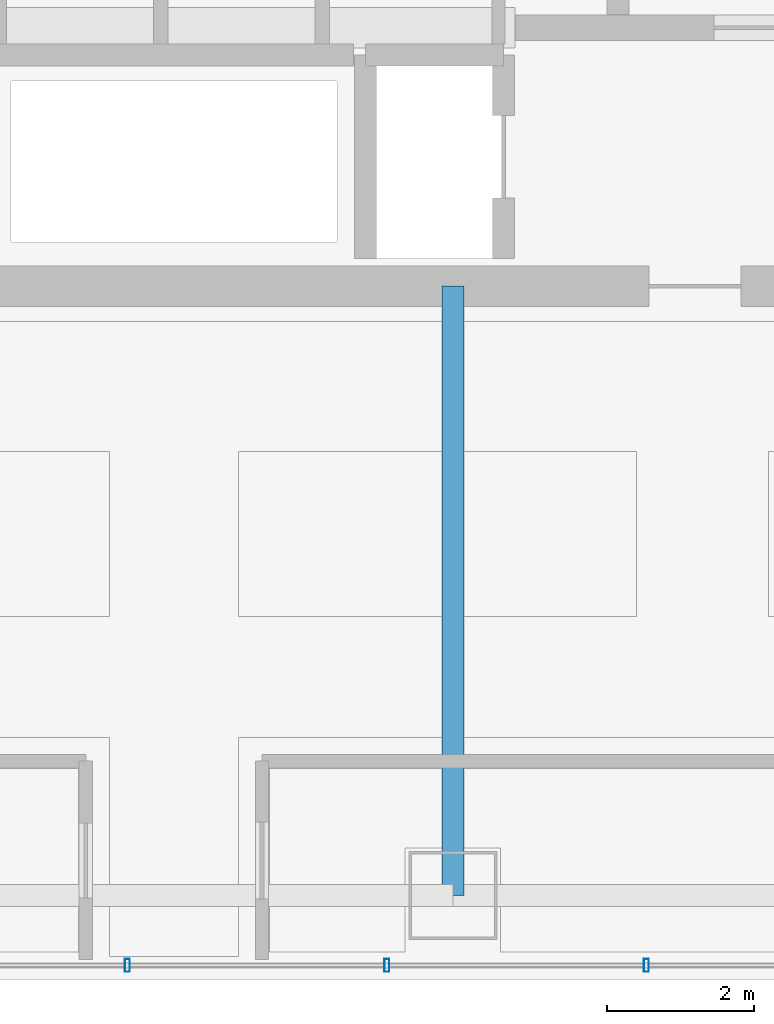
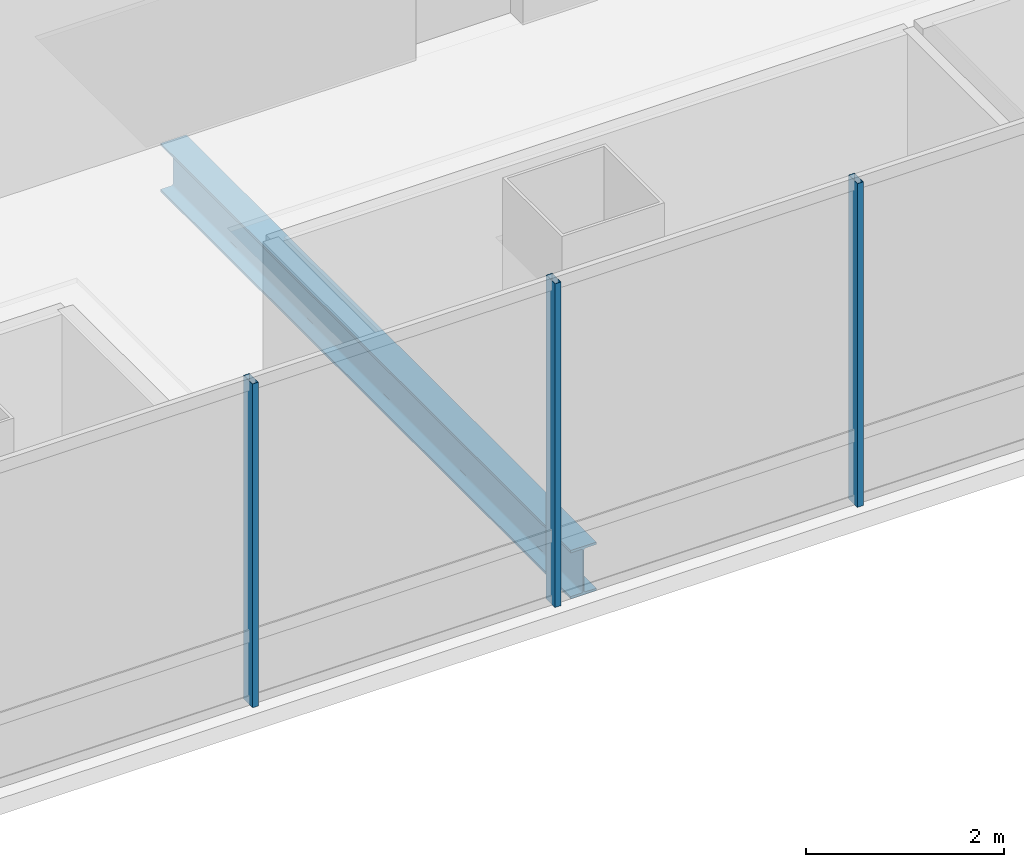
# One storey, part 9 of 42: 3 members, 1 beam, 1 element without a shape of its own.
"""IFC4 building model written with IfcOpenShell, lengths in metres."""

from ifc_helpers import new_model, si_unit, direction, frame, origin, origin_2d, place, context, subcontext, project, spatial, hollow_rectangle, i_section, extrude, material, material_profile, profile_set, type_object, element, aggregate, save


model = new_model("IFC4")

# Units and contexts
model_context = context("Model", 3, precision=1e-05, world=origin(), true_north=direction((0.0, 1.0)))
body_context = subcontext(model_context, "Body", "Model", "MODEL_VIEW")
ifc_project = project(units=[si_unit("LENGTHUNIT", "METRE"), si_unit("AREAUNIT", "SQUARE_METRE"), si_unit("VOLUMEUNIT", "CUBIC_METRE"), si_unit("PLANEANGLEUNIT", "RADIAN"), si_unit("MASSUNIT", "GRAM", prefix="KILO")], contexts=[model_context])

# Site, building, storey
site_placement = place(None, origin())
site = spatial("IfcSite", under=ifc_project, at=site_placement, CompositionType="ELEMENT")
building_placement = place(site_placement, origin())
building = spatial("IfcBuilding", under=site, at=building_placement, Name="Punatoya Terracotta Tower", CompositionType="ELEMENT")
storey_placement = place(building_placement, frame((0.0, 0.0, 296.39990234375)))
storey = spatial("IfcBuildingStorey", under=building, at=storey_placement, Name="L70", CompositionType="ELEMENT", Elevation=296.39990234375)

# Beam
ifc_material_1 = material(Name="Steel S355", Category="steel")
ifc_material_profile_1 = material_profile(ifc_material_1, i_section(OverallWidth=0.300048828125, OverallDepth=0.60009765625, WebThickness=0.015380859375, FlangeThickness=0.030029296875, FilletRadius=0.01806640625, at=origin_2d()))
ifc_profile_set_1 = profile_set([ifc_material_profile_1], Name="Steel S355")
beam_type = type_object("IfcBeamType", Name="BM-PRI-600", PredefinedType="BEAM", material=ifc_profile_set_1)
beam_placement = place(storey_placement, frame((3.800048828125, -17.5, -0.5), z_axis=(0.0, 1.0, 0.0), x_axis=(-1.0, 0.0, 0.0)))
element("IfcBeam", 1, at=beam_placement, inside=storey, type_object=beam_type, Name="BM-L70-PR-S3", PredefinedType="BEAM", context=body_context, shape_type="SweptSolid", body=[
    extrude(i_section(OverallWidth=0.300048828125, OverallDepth=0.60009765625, WebThickness=0.015380859375, FlangeThickness=0.030029296875, FilletRadius=0.01806640625, at=origin_2d()), origin(), (0.0, 0.0, 1.0), 8.300048828125),
])

# Curtain wall, members
ifc_material_2 = material(Name="Aluminium 6063-T6 + Double Low-E Glass", Category="aluminium")
curtain_wall_type = type_object("IfcCurtainWallType", Name="CW-M3", PredefinedType="NOTDEFINED", material=ifc_material_2)
curtain_wall_placement = place(storey_placement, origin())
curtain_wall = element("IfcCurtainWall", 2, at=curtain_wall_placement, inside=storey, type_object=curtain_wall_type, Name="L70 Curtain Wall CW-L70-S01-1", PredefinedType="NOTDEFINED")
ifc_material_3 = material(Name="Aluminium 6063-T6", Category="aluminium")
ifc_material_profile_2 = material_profile(ifc_material_3, hollow_rectangle(XDim=0.070068359375, YDim=0.179931640625, WallThickness=0.00390625, at=origin_2d()))
ifc_profile_set_2 = profile_set([ifc_material_profile_2], Name="Aluminium 6063-T6")
member_type = type_object("IfcMemberType", Name="CW-MUL-M3", PredefinedType="MULLION", material=ifc_profile_set_2)
member_1_placement = place(storey_placement, frame((-0.633056640625, -18.449951171875, 0.0), z_axis=(0.0, 0.0, 1.0), x_axis=(1.0, 0.0, 0.0)))
member_1 = element("IfcMember", 3, at=member_1_placement, type_object=member_type, Name="CW-L70-S01-1 Mullion 06", PredefinedType="MULLION", context=body_context, shape_type="SweptSolid", body=[
    extrude(hollow_rectangle(XDim=0.070068359375, YDim=0.179931640625, WallThickness=0.00390625, at=origin_2d()), origin(), (0.0, 0.0, 1.0), 4.0),
])
member_2_placement = place(storey_placement, frame((2.90087890625, -18.449951171875, 0.0), z_axis=(0.0, 0.0, 1.0), x_axis=(1.0, 0.0, 0.0)))
member_2 = element("IfcMember", 4, at=member_2_placement, type_object=member_type, Name="CW-L70-S01-1 Mullion 07", PredefinedType="MULLION", context=body_context, shape_type="SweptSolid", body=[
    extrude(hollow_rectangle(XDim=0.070068359375, YDim=0.179931640625, WallThickness=0.00390625, at=origin_2d()), origin(), (0.0, 0.0, 1.0), 4.0),
])
member_3_placement = place(storey_placement, frame((6.43505859375, -18.449951171875, 0.0), z_axis=(0.0, 0.0, 1.0), x_axis=(1.0, 0.0, 0.0)))
member_3 = element("IfcMember", 5, at=member_3_placement, type_object=member_type, Name="CW-L70-S01-1 Mullion 08", PredefinedType="MULLION", context=body_context, shape_type="SweptSolid", body=[
    extrude(hollow_rectangle(XDim=0.070068359375, YDim=0.179931640625, WallThickness=0.00390625, at=origin_2d()), origin(), (0.0, 0.0, 1.0), 4.0),
])
aggregate(curtain_wall, [member_1, member_2, member_3])

save(model, "model.ifc")
